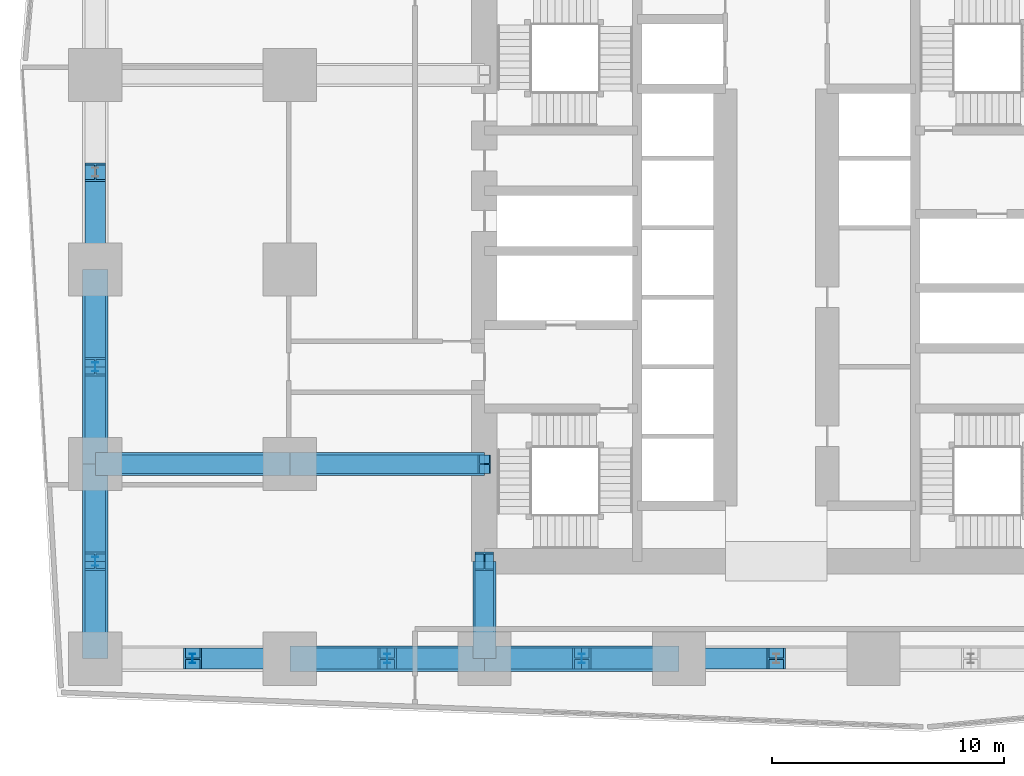
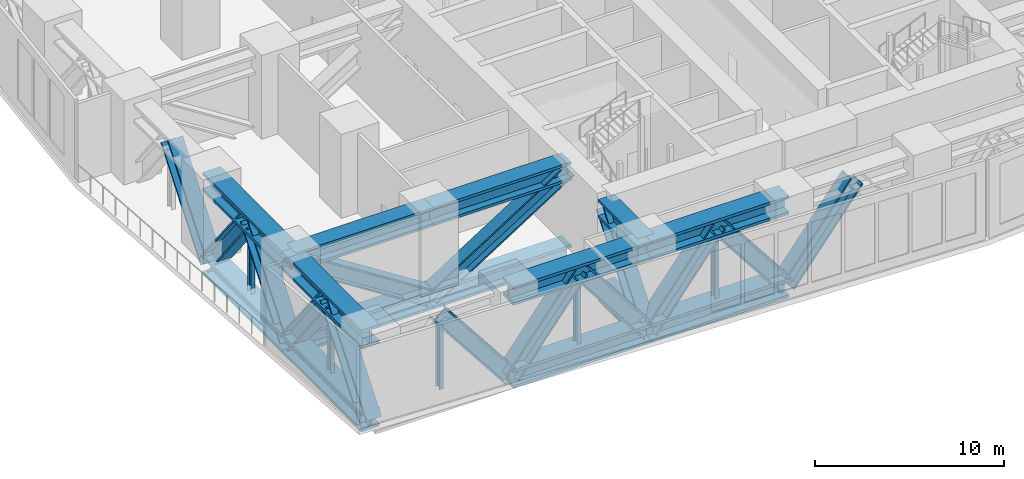
# One storey, part 2 of 16: 33 members.
"""IFC4 building model written with IfcOpenShell, lengths in metres."""

from ifc_helpers import new_model, si_unit, direction, frame, origin, origin_2d, place, context, subcontext, project, spatial, i_section, extrude, material, material_profile, profile_set, type_object, element, save


model = new_model("IFC4")

# Units and contexts
model_context = context("Model", 3, precision=1e-05, world=origin(), true_north=direction((0.0, 1.0)))
body_context = subcontext(model_context, "Body", "Model", "MODEL_VIEW")
ifc_project = project(units=[si_unit("LENGTHUNIT", "METRE"), si_unit("AREAUNIT", "SQUARE_METRE"), si_unit("VOLUMEUNIT", "CUBIC_METRE"), si_unit("PLANEANGLEUNIT", "RADIAN"), si_unit("MASSUNIT", "GRAM", prefix="KILO")], contexts=[model_context])

# Site, building, storey
site_placement = place(None, origin())
site = spatial("IfcSite", under=ifc_project, at=site_placement, CompositionType="ELEMENT")
building_placement = place(site_placement, origin())
building = spatial("IfcBuilding", under=site, at=building_placement, Name="Rekha Terrace Tower", CompositionType="ELEMENT")
storey_placement = place(building_placement, frame((0.0, 0.0, 240.199951171875)))
storey = spatial("IfcBuildingStorey", under=building, at=storey_placement, Name="L61", CompositionType="ELEMENT", Elevation=240.199951171875)

# Members
ifc_material = material(Name="Steel E350", Category="steel")
ifc_material_profile_1 = material_profile(ifc_material, i_section(OverallWidth=1.10009765625, OverallDepth=1.199951171875, WebThickness=0.1201171875, FlangeThickness=0.179931640625, at=origin_2d()), Name="BU 1200x1100x120x180")
ifc_profile_set_1 = profile_set([ifc_material_profile_1], Name="Steel E350")
member_type_1 = type_object("IfcMemberType", Name="BC61 BU 1200x1100x120x180 belt truss chord", PredefinedType="CHORD", material=ifc_profile_set_1)
for number, where, z_axis, x_axis, name in (
    (1, (16.800048828125, 16.800048828125, 4.400146484375), (1.0, 0.0, 0.0), (0.0, 1.0, 0.0), "Belt top chord 3C-4C L61"),
    (2, (16.800048828125, 16.800048828125, -0.949951171875), (1.0, 0.0, 0.0), (0.0, 1.0, 0.0), "Belt bottom chord 3C-4C L61"),
):
    element("IfcMember", number, at=place(storey_placement, frame(where, z_axis=z_axis, x_axis=x_axis)), inside=storey, type_object=member_type_1, Name=name, PredefinedType="CHORD", context=body_context, shape_type="SweptSolid", body=[
        extrude(i_section(OverallWidth=1.10009765625, OverallDepth=1.199951171875, WebThickness=0.1201171875, FlangeThickness=0.179931640625, at=origin_2d()), origin(), (0.0, 0.0, 1.0), 8.39990234375),
    ])
for number, where, z_axis, x_axis, name in (
    (3, (25.199951171875, 16.800048828125, 4.400146484375), (1.0, 0.0, 0.0), (0.0, 1.0, 0.0), "Belt top chord 4C-5C L61"),
    (4, (25.199951171875, 16.800048828125, -0.949951171875), (1.0, 0.0, 0.0), (0.0, 1.0, 0.0), "Belt bottom chord 4C-5C L61"),
    (5, (8.39990234375, 33.60009765625, 4.400146484375), (0.0, -1.0, 0.0), (1.0, 0.0, 0.0), "Belt top chord 2E-2D L61"),
    (6, (8.39990234375, 33.60009765625, -0.949951171875), (0.0, -1.0, 0.0), (1.0, 0.0, 0.0), "Belt bottom chord 2E-2D L61"),
):
    element("IfcMember", number, at=place(storey_placement, frame(where, z_axis=z_axis, x_axis=x_axis)), inside=storey, type_object=member_type_1, Name=name, PredefinedType="CHORD", context=body_context, shape_type="SweptSolid", body=[
        extrude(i_section(OverallWidth=1.10009765625, OverallDepth=1.199951171875, WebThickness=0.1201171875, FlangeThickness=0.179931640625, at=origin_2d()), origin(), (0.0, 0.0, 1.0), 8.400146484375),
    ])
for number, where, z_axis, x_axis, name in (
    (7, (8.39990234375, 25.199951171875, 4.400146484375), (0.0, -1.0, 0.0), (1.0, 0.0, 0.0), "Belt top chord 2D-2C L61"),
    (8, (8.39990234375, 25.199951171875, -0.949951171875), (0.0, -1.0, 0.0), (1.0, 0.0, 0.0), "Belt bottom chord 2D-2C L61"),
):
    element("IfcMember", number, at=place(storey_placement, frame(where, z_axis=z_axis, x_axis=x_axis)), inside=storey, type_object=member_type_1, Name=name, PredefinedType="CHORD", context=body_context, shape_type="SweptSolid", body=[
        extrude(i_section(OverallWidth=1.10009765625, OverallDepth=1.199951171875, WebThickness=0.1201171875, FlangeThickness=0.179931640625, at=origin_2d()), origin(), (0.0, 0.0, 1.0), 8.39990234375),
    ])
ifc_material_profile_2 = material_profile(ifc_material, i_section(OverallWidth=0.89990234375, OverallDepth=1.0, WebThickness=0.06005859375, FlangeThickness=0.10009765625, at=origin_2d()), Name="BU 1000x900x60x100")
ifc_profile_set_2 = profile_set([ifc_material_profile_2], Name="Steel E350")
member_type_2 = type_object("IfcMemberType", Name="BD61 BU 1000x900x60x100 belt truss diagonal", PredefinedType="BRACE", material=ifc_profile_set_2)
for number, where, z_axis, x_axis, name in (
    (9, (16.800048828125, 16.800048828125, -0.949951171875), (-0.617485427507, 0.0, 0.786582320432), (0.0, -1.0, 0.0), "Belt diagonal 2C-3C L61"),
    (10, (16.800048828125, 16.800048828125, -0.949951171875), (0.617485427507, 0.0, 0.786582320432), (0.0, 1.0, 0.0), "Belt diagonal 3C-4C L61"),
    (11, (25.199951171875, 16.800048828125, -0.949951171875), (-0.617485427507, 0.0, 0.786582320432), (0.0, -1.0, 0.0), "Belt diagonal 3C-4C L61"),
    (12, (25.199951171875, 16.800048828125, -0.949951171875), (0.617485427507, 0.0, 0.786582320432), (0.0, 1.0, 0.0), "Belt diagonal 4C-5C L61"),
    (13, (33.60009765625, 16.800048828125, -0.949951171875), (-0.617507634842, 0.0, 0.78656488665), (0.0, -1.0, 0.0), "Belt diagonal 4C-5C L61"),
    (14, (33.60009765625, 16.800048828125, -0.949951171875), (0.617485427507, 0.0, 0.786582320432), (0.0, 1.0, 0.0), "Belt diagonal 5C-6C L61"),
    (15, (8.39990234375, 33.60009765625, -0.949951171875), (0.0, 0.617485427507, 0.786582320432), (-1.0, 0.0, 0.0), "Belt diagonal 2F-2E L61"),
    (16, (8.39990234375, 33.60009765625, -0.949951171875), (0.0, -0.617507634842, 0.78656488665), (1.0, 0.0, 0.0), "Belt diagonal 2E-2D L61"),
    (17, (8.39990234375, 25.199951171875, -0.949951171875), (0.0, 0.617485427507, 0.786582320432), (-1.0, 0.0, 0.0), "Belt diagonal 2E-2D L61"),
    (18, (8.39990234375, 25.199951171875, -0.949951171875), (0.0, -0.617485427507, 0.786582320432), (1.0, 0.0, 0.0), "Belt diagonal 2D-2C L61"),
    (19, (8.39990234375, 16.800048828125, -0.949951171875), (0.0, 0.617485427507, 0.786582320432), (-1.0, 0.0, 0.0), "Belt diagonal 2D-2C L61"),
):
    element("IfcMember", number, at=place(storey_placement, frame(where, z_axis=z_axis, x_axis=x_axis)), inside=storey, type_object=member_type_2, Name=name, PredefinedType="BRACE", context=body_context, shape_type="SweptSolid", body=[
        extrude(i_section(OverallWidth=0.89990234375, OverallDepth=1.0, WebThickness=0.06005859375, FlangeThickness=0.10009765625, at=origin_2d()), origin(), (0.0, 0.0, 1.0), 6.8017578125),
    ])
ifc_material_profile_3 = material_profile(ifc_material, i_section(OverallWidth=0.25, OverallDepth=0.39990234375, WebThickness=0.010498046875, FlangeThickness=0.01611328125, FilletRadius=0.013916015625, at=origin_2d()), Name="ISHB 400")
ifc_profile_set_3 = profile_set([ifc_material_profile_3], Name="Steel E350")
member_type_3 = type_object("IfcMemberType", Name="BV61 ISHB 400 belt truss post", PredefinedType="POST", material=ifc_profile_set_3)
for number, where, z_axis, x_axis, name in (
    (20, (12.60009765625, 16.800048828125, -0.349853515625), (0.0, 0.0, 1.0), (1.0, 0.0, 0.0), "Belt post 2C-3C L61"),
    (21, (21.0, 16.800048828125, -0.349853515625), (0.0, 0.0, 1.0), (1.0, 0.0, 0.0), "Belt post 3C-4C L61"),
    (22, (29.39990234375, 16.800048828125, -0.349853515625), (0.0, 0.0, 1.0), (1.0, 0.0, 0.0), "Belt post 4C-5C L61"),
    (23, (8.39990234375, 29.39990234375, -0.349853515625), (0.0, 0.0, 1.0), (1.0, 0.0, 0.0), "Belt post 2E-2D L61"),
    (24, (8.39990234375, 21.0, -0.349853515625), (0.0, 0.0, 1.0), (1.0, 0.0, 0.0), "Belt post 2D-2C L61"),
):
    element("IfcMember", number, at=place(storey_placement, frame(where, z_axis=z_axis, x_axis=x_axis)), inside=storey, type_object=member_type_3, Name=name, PredefinedType="POST", context=body_context, shape_type="SweptSolid", body=[
        extrude(i_section(OverallWidth=0.25, OverallDepth=0.39990234375, WebThickness=0.010498046875, FlangeThickness=0.01611328125, FilletRadius=0.013916015625, at=origin_2d()), origin(), (0.0, 0.0, 1.0), 4.14990234375),
    ])
ifc_material_profile_4 = material_profile(ifc_material, i_section(OverallWidth=1.0, OverallDepth=1.199951171875, WebThickness=0.139892578125, FlangeThickness=0.169921875, at=origin_2d()), Name="BU 1200x1000x140x170")
ifc_profile_set_4 = profile_set([ifc_material_profile_4], Name="Steel E350")
member_type_4 = type_object("IfcMemberType", Name="OC61 BU 1200x1000x140x170 outrigger chord", PredefinedType="CHORD", material=ifc_profile_set_4)
for number, where, z_axis, x_axis, name in (
    (25, (25.199951171875, 25.199951171875, 4.400146484375), (-1.0, 0.0, 0.0), (0.0, -1.0, 0.0), "Outrigger top chord WD-1 L61"),
    (26, (25.199951171875, 25.199951171875, -0.949951171875), (-1.0, 0.0, 0.0), (0.0, -1.0, 0.0), "Outrigger bottom chord WD-1 L61"),
):
    element("IfcMember", number, at=place(storey_placement, frame(where, z_axis=z_axis, x_axis=x_axis)), inside=storey, type_object=member_type_4, Name=name, PredefinedType="CHORD", context=body_context, shape_type="SweptSolid", body=[
        extrude(i_section(OverallWidth=1.0, OverallDepth=1.199951171875, WebThickness=0.139892578125, FlangeThickness=0.169921875, at=origin_2d()), origin(), (0.0, 0.0, 1.0), 8.39990234375),
    ])
for number, where, z_axis, x_axis, name in (
    (27, (16.800048828125, 25.199951171875, 4.400146484375), (-1.0, 0.0, 0.0), (0.0, -1.0, 0.0), "Outrigger top chord WD-2 L61"),
    (28, (16.800048828125, 25.199951171875, -0.949951171875), (-1.0, 0.0, 0.0), (0.0, -1.0, 0.0), "Outrigger bottom chord WD-2 L61"),
):
    element("IfcMember", number, at=place(storey_placement, frame(where, z_axis=z_axis, x_axis=x_axis)), inside=storey, type_object=member_type_4, Name=name, PredefinedType="CHORD", context=body_context, shape_type="SweptSolid", body=[
        extrude(i_section(OverallWidth=1.0, OverallDepth=1.199951171875, WebThickness=0.139892578125, FlangeThickness=0.169921875, at=origin_2d()), origin(), (0.0, 0.0, 1.0), 8.400146484375),
    ])
for number, where, z_axis, x_axis, name in (
    (29, (25.199951171875, 21.0, 4.400146484375), (0.0, -1.0, 0.0), (1.0, 0.0, 0.0), "Outrigger top chord S4-1 L61"),
    (30, (25.199951171875, 21.0, -0.949951171875), (0.0, -1.0, 0.0), (1.0, 0.0, 0.0), "Outrigger bottom chord S4-1 L61"),
):
    element("IfcMember", number, at=place(storey_placement, frame(where, z_axis=z_axis, x_axis=x_axis)), inside=storey, type_object=member_type_4, Name=name, PredefinedType="CHORD", context=body_context, shape_type="SweptSolid", body=[
        extrude(i_section(OverallWidth=1.0, OverallDepth=1.199951171875, WebThickness=0.139892578125, FlangeThickness=0.169921875, at=origin_2d()), origin(), (0.0, 0.0, 1.0), 4.199951171875),
    ])
ifc_material_profile_5 = material_profile(ifc_material, i_section(OverallWidth=0.800048828125, OverallDepth=1.0, WebThickness=0.050048828125, FlangeThickness=0.090087890625, at=origin_2d()), Name="BU 1000x800x50x90")
ifc_profile_set_5 = profile_set([ifc_material_profile_5], Name="Steel E350")
member_type_5 = type_object("IfcMemberType", Name="OD61 BU 1000x800x50x90 outrigger diagonal", PredefinedType="BRACE", material=ifc_profile_set_5)
member_1_placement = place(storey_placement, frame((25.199951171875, 25.199951171875, 4.400146484375), z_axis=(-0.843447423157, 0.0, -0.537211731415), x_axis=(0.0, -1.0, 0.0)))
element("IfcMember", 31, at=member_1_placement, inside=storey, type_object=member_type_5, Name="Outrigger diagonal WD-1 L61", PredefinedType="BRACE", context=body_context, shape_type="SweptSolid", body=[
    extrude(i_section(OverallWidth=0.800048828125, OverallDepth=1.0, WebThickness=0.050048828125, FlangeThickness=0.090087890625, at=origin_2d()), origin(), (0.0, 0.0, 1.0), 9.958984375),
])
member_2_placement = place(storey_placement, frame((16.800048828125, 25.199951171875, -0.949951171875), z_axis=(-0.843454497748, 0.0, 0.537200623816), x_axis=(0.0, -1.0, 0.0)))
element("IfcMember", 32, at=member_2_placement, inside=storey, type_object=member_type_5, Name="Outrigger diagonal WD-2 L61", PredefinedType="BRACE", context=body_context, shape_type="SweptSolid", body=[
    extrude(i_section(OverallWidth=0.800048828125, OverallDepth=1.0, WebThickness=0.050048828125, FlangeThickness=0.090087890625, at=origin_2d()), origin(), (0.0, 0.0, 1.0), 9.959228515625),
])
member_3_placement = place(storey_placement, frame((25.199951171875, 21.0, 4.400146484375), z_axis=(0.0, -0.617485427507, -0.786582320432), x_axis=(1.0, 0.0, 0.0)))
element("IfcMember", 33, at=member_3_placement, inside=storey, type_object=member_type_5, Name="Outrigger diagonal S4-1 L61", PredefinedType="BRACE", context=body_context, shape_type="SweptSolid", body=[
    extrude(i_section(OverallWidth=0.800048828125, OverallDepth=1.0, WebThickness=0.050048828125, FlangeThickness=0.090087890625, at=origin_2d()), origin(), (0.0, 0.0, 1.0), 6.8017578125),
])

save(model, "model.ifc")
